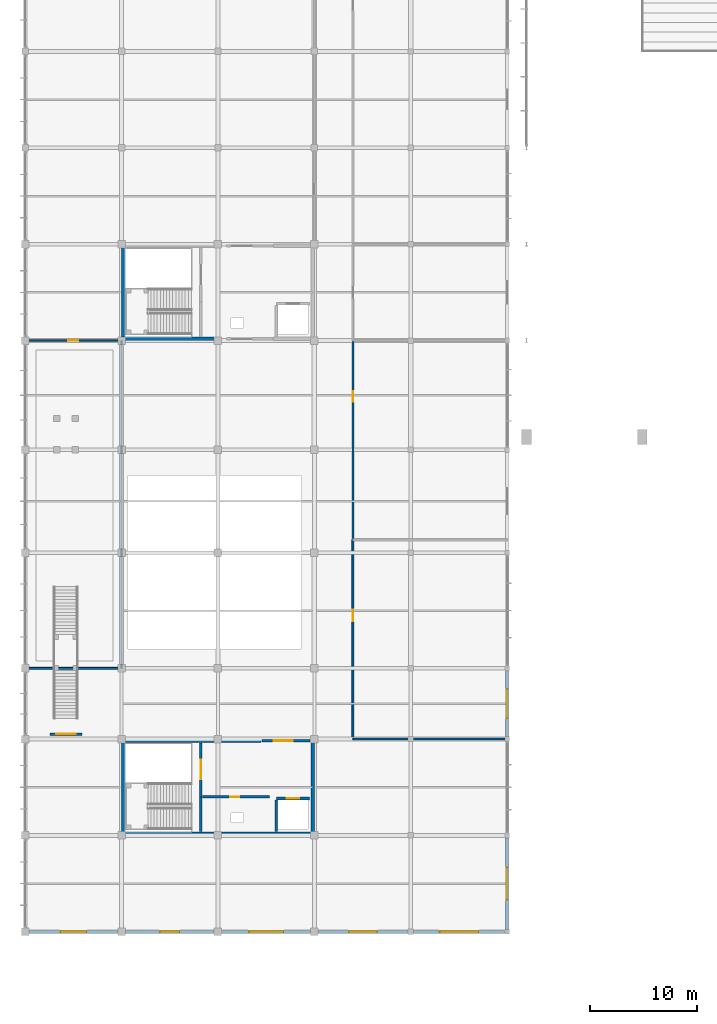
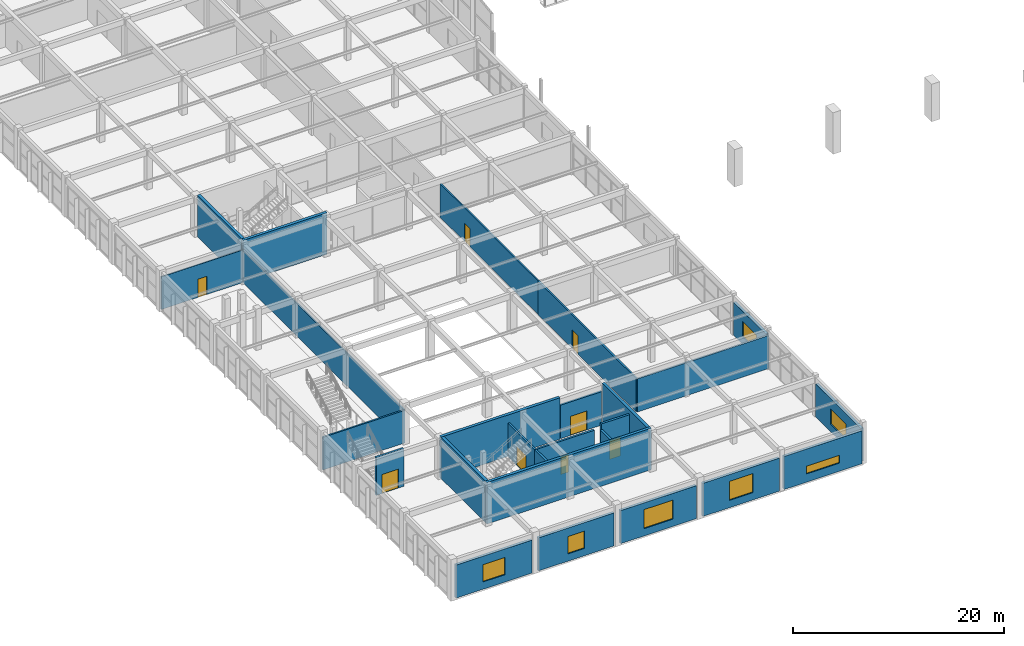
# One storey, part 48 of 74: 26 walls, 8 doors, 7 windows, 15 openings.
"""IFC4 building model written with IfcOpenShell, lengths in metres."""

from ifc_helpers import new_model, si_unit, direction, frame, frame_2d, origin, place, context, subcontext, project, spatial, rectangle, extrude, material, layer, layer_set, type_object, element, fill, save


model = new_model("IFC4")

# Units and contexts
model_context = context("Model", 3, precision=1e-05, world=origin(), true_north=direction((0.0, 1.0)))
body_context = subcontext(model_context, "Body", "Model", "MODEL_VIEW")
ifc_project = project(units=[si_unit("LENGTHUNIT", "METRE"), si_unit("AREAUNIT", "SQUARE_METRE"), si_unit("VOLUMEUNIT", "CUBIC_METRE"), si_unit("PLANEANGLEUNIT", "RADIAN"), si_unit("MASSUNIT", "GRAM", prefix="KILO")], contexts=[model_context])

# Site, building, storey
site_placement = place(None, origin())
site = spatial("IfcSite", under=ifc_project, at=site_placement, CompositionType="ELEMENT")
building_placement = place(site_placement, origin())
building = spatial("IfcBuilding", under=site, at=building_placement, Name="Suirenkawa Promenade Aquatics Centre", CompositionType="ELEMENT")
storey_placement = place(building_placement, frame((0.0, 0.0, 4.800048828125)))
storey = spatial("IfcBuildingStorey", under=building, at=storey_placement, Name="L01", CompositionType="ELEMENT", Elevation=4.800048828125)

# Walls
ifc_material_1 = material(Name="Concrete M40", Category="concrete")
ifc_layer_1 = layer(ifc_material_1, 0.320068359375, Name="Concrete M40", Category="concrete")
ifc_layer_set_1 = layer_set([ifc_layer_1], Name="Concrete M40")
wall_type_1 = type_object("IfcWallType", Name="WT-CORE-320", PredefinedType="SHEAR", material=ifc_layer_set_1)
wall_1_placement = place(storey_placement, frame((9.0, 13.360107421875, 0.0), z_axis=(0.0, 0.0, 1.0), x_axis=(1.0, 0.0, 0.0)))
element("IfcWall", 1, at=wall_1_placement, inside=storey, type_object=wall_type_1, Name="C1 south core wall WL-CORE-01 W-0058", PredefinedType="SHEAR", context=body_context, shape_type="SweptSolid", body=[
    extrude(rectangle(XDim=18.0, YDim=0.320068359375, at=frame_2d((9.0, 0.0))), origin(), (0.0, 0.0, 1.0), 4.800048828125),
])
wall_2_placement = place(storey_placement, frame((9.0, 22.0400390625, 0.0), z_axis=(0.0, 0.0, 1.0), x_axis=(1.0, 0.0, 0.0)))
element("IfcWall", 2, at=wall_2_placement, inside=storey, type_object=wall_type_1, Name="C1 north core wall WL-CORE-01 W-0059", PredefinedType="SHEAR", context=body_context, shape_type="SweptSolid", body=[
    extrude(rectangle(XDim=13.0, YDim=0.320068359375, at=frame_2d((6.5, 0.0))), origin(), (0.0, 0.0, 1.0), 4.800048828125),
])
wall_3_placement = place(storey_placement, frame((9.159912109375, 13.52001953125, 0.0), z_axis=(0.0, 0.0, 1.0), x_axis=(0.0, 1.0, 0.0)))
element("IfcWall", 3, at=wall_3_placement, inside=storey, type_object=wall_type_1, Name="C1 west core wall WL-CORE-01 W-0060", PredefinedType="SHEAR", context=body_context, shape_type="SweptSolid", body=[
    extrude(rectangle(XDim=8.35986328125, YDim=0.320068359375, at=frame_2d((4.179931640625, 0.0))), origin(), (0.0, 0.0, 1.0), 4.800048828125),
])
wall_4_placement = place(storey_placement, frame((26.840087890625, 13.52001953125, 0.0), z_axis=(0.0, 0.0, 1.0), x_axis=(0.0, 1.0, 0.0)))
element("IfcWall", 4, at=wall_4_placement, inside=storey, type_object=wall_type_1, Name="C1 east core wall WL-CORE-01 W-0061", PredefinedType="SHEAR", context=body_context, shape_type="SweptSolid", body=[
    extrude(rectangle(XDim=8.47998046875, YDim=0.320068359375, at=frame_2d((4.239990234375, 0.0))), origin(), (0.0, 0.0, 1.0), 4.800048828125),
])
wall_5_placement = place(storey_placement, frame((9.0, 59.56005859375, 0.0), z_axis=(0.0, 0.0, 1.0), x_axis=(1.0, 0.0, 0.0)))
element("IfcWall", 5, at=wall_5_placement, inside=storey, type_object=wall_type_1, Name="C2 south core wall WL-CORE-01 W-0086", PredefinedType="SHEAR", context=body_context, shape_type="SweptSolid", body=[
    extrude(rectangle(XDim=9.199951171875, YDim=0.320068359375, at=frame_2d((4.60009765625, 0.0))), origin(), (0.0, 0.0, 1.0), 4.800048828125),
])
wall_6_placement = place(storey_placement, frame((9.159912109375, 59.719970703125, 0.0), z_axis=(0.0, 0.0, 1.0), x_axis=(0.0, 1.0, 0.0)))
element("IfcWall", 6, at=wall_6_placement, inside=storey, type_object=wall_type_1, Name="C2 west core wall WL-CORE-01 W-0090", PredefinedType="SHEAR", context=body_context, shape_type="SweptSolid", body=[
    extrude(rectangle(XDim=8.360107421875, YDim=0.320068359375, at=frame_2d((4.18017578125, 0.0))), origin(), (0.0, 0.0, 1.0), 4.800048828125),
])

# Wall, opening, window
ifc_layer_2 = layer(ifc_material_1, 0.2900390625, Name="Concrete M40", Category="concrete")
ifc_layer_set_2 = layer_set([ifc_layer_2], Name="Concrete M40")
wall_type_2 = type_object("IfcWallType", Name="WT-EXT-290", PredefinedType="SOLIDWALL", material=ifc_layer_set_2)
wall_7_placement = place(storey_placement, frame((8.64501953125, 4.199951171875, 0.0), z_axis=(0.0, 0.0, 1.0), x_axis=(-1.0, 0.0, 0.0)))
wall_7 = element("IfcWall", 7, at=wall_7_placement, inside=storey, type_object=wall_type_2, Name="Exterior wall WL-EXT-03 W-5079", PredefinedType="SOLIDWALL", context=body_context, shape_type="SweptSolid", body=[
    extrude(rectangle(XDim=8.2900390625, YDim=0.2900390625, at=frame_2d((4.14501953125, 0.0))), origin(), (0.0, 0.0, 1.0), 3.824951171875),
])
opening_1_placement = place(wall_7_placement, frame((2.945068359375, 0.0, 0.85009765625)))
opening_1 = element("IfcOpeningElement", 8, at=opening_1_placement, cuts=wall_7, Name="Opening WN-24", PredefinedType="OPENING", context=body_context, shape_type="SweptSolid", body=[
    extrude(rectangle(XDim=2.39990234375, YDim=2.0, at=frame_2d((1.199951171875, 1.0))), frame((0.0, 0.155029296875, 0.0), z_axis=(0.0, -1.0, 0.0), x_axis=(1.0, 0.0, 0.0)), (0.0, 0.0, 1.0), 0.31005859375),
])
ifc_material_2 = material(Name="Low-E thermally broken double glazing", Category="glass")
window_type_1 = type_object("IfcWindowType", Name="WNT-VIEW-2400x2000", PartitioningType="SINGLE_PANEL", PredefinedType="WINDOW", material=ifc_material_2)
window_1_placement = place(opening_1_placement, origin())
window_1 = element("IfcWindow", 9, at=window_1_placement, inside=storey, type_object=window_type_1, Name="Window WN-24 WN-0026", OverallHeight=2.0, OverallWidth=2.39990234375, PartitioningType="SINGLE_PANEL", PredefinedType="WINDOW", context=body_context, shape_type="SweptSolid", body=[
    extrude(rectangle(XDim=2.39990234375, YDim=2.0, at=frame_2d((1.199951171875, 1.0))), frame((0.0, 0.030029296875, 0.0), z_axis=(0.0, -1.0, 0.0), x_axis=(1.0, 0.0, 0.0)), (0.0, 0.0, 1.0), 0.06005859375),
])
fill(opening_1, window_1)

wall_8_placement = place(storey_placement, frame((17.64501953125, 4.199951171875, 0.0), z_axis=(0.0, 0.0, 1.0), x_axis=(-1.0, 0.0, 0.0)))
wall_8 = element("IfcWall", 10, at=wall_8_placement, inside=storey, type_object=wall_type_2, Name="Exterior wall WL-EXT-03 W-5080", PredefinedType="SOLIDWALL", context=body_context, shape_type="SweptSolid", body=[
    extrude(rectangle(XDim=8.2900390625, YDim=0.2900390625, at=frame_2d((4.14501953125, 0.0))), origin(), (0.0, 0.0, 1.0), 3.824951171875),
])
opening_2_placement = place(wall_8_placement, frame((3.2451171875, 0.0, 0.85009765625)))
opening_2 = element("IfcOpeningElement", 11, at=opening_2_placement, cuts=wall_8, Name="Opening WN-25", PredefinedType="OPENING", context=body_context, shape_type="SweptSolid", body=[
    extrude(rectangle(XDim=1.800048828125, YDim=2.0, at=frame_2d((0.89990234375, 1.0))), frame((0.0, 0.155029296875, 0.0), z_axis=(0.0, -1.0, 0.0), x_axis=(1.0, 0.0, 0.0)), (0.0, 0.0, 1.0), 0.31005859375),
])
window_type_2 = type_object("IfcWindowType", Name="WNT-VIEW-1800x2000", PartitioningType="SINGLE_PANEL", PredefinedType="WINDOW", material=ifc_material_2)
window_2_placement = place(opening_2_placement, origin())
window_2 = element("IfcWindow", 12, at=window_2_placement, inside=storey, type_object=window_type_2, Name="Window WN-25 WN-0027", OverallHeight=2.0, OverallWidth=1.800048828125, PartitioningType="SINGLE_PANEL", PredefinedType="WINDOW", context=body_context, shape_type="SweptSolid", body=[
    extrude(rectangle(XDim=1.800048828125, YDim=2.0, at=frame_2d((0.89990234375, 1.0))), frame((0.0, 0.030029296875, 0.0), z_axis=(0.0, -1.0, 0.0), x_axis=(1.0, 0.0, 0.0)), (0.0, 0.0, 1.0), 0.06005859375),
])
fill(opening_2, window_2)

wall_9_placement = place(storey_placement, frame((26.64501953125, 4.199951171875, 0.0), z_axis=(0.0, 0.0, 1.0), x_axis=(-1.0, 0.0, 0.0)))
wall_9 = element("IfcWall", 13, at=wall_9_placement, inside=storey, type_object=wall_type_2, Name="Exterior wall WL-EXT-03 W-5081", PredefinedType="SOLIDWALL", context=body_context, shape_type="SweptSolid", body=[
    extrude(rectangle(XDim=8.2900390625, YDim=0.2900390625, at=frame_2d((4.14501953125, 0.0))), origin(), (0.0, 0.0, 1.0), 3.824951171875),
])
opening_3_placement = place(wall_9_placement, frame((2.544921875, 0.0, 0.85009765625)))
opening_3 = element("IfcOpeningElement", 14, at=opening_3_placement, cuts=wall_9, Name="Opening WN-26", PredefinedType="OPENING", context=body_context, shape_type="SweptSolid", body=[
    extrude(rectangle(XDim=3.199951171875, YDim=2.199951171875, at=frame_2d((1.60009765625, 1.10009765625))), frame((0.0, 0.155029296875, 0.0), z_axis=(0.0, -1.0, 0.0), x_axis=(1.0, 0.0, 0.0)), (0.0, 0.0, 1.0), 0.31005859375),
])
window_type_3 = type_object("IfcWindowType", Name="WNT-GALL-3200x2200", PartitioningType="SINGLE_PANEL", PredefinedType="WINDOW", material=ifc_material_2)
window_3_placement = place(opening_3_placement, origin())
window_3 = element("IfcWindow", 15, at=window_3_placement, inside=storey, type_object=window_type_3, Name="Window WN-26 WN-0028", OverallHeight=2.199951171875, OverallWidth=3.199951171875, PartitioningType="SINGLE_PANEL", PredefinedType="WINDOW", context=body_context, shape_type="SweptSolid", body=[
    extrude(rectangle(XDim=3.199951171875, YDim=2.199951171875, at=frame_2d((1.60009765625, 1.10009765625))), frame((0.0, 0.030029296875, 0.0), z_axis=(0.0, -1.0, 0.0), x_axis=(1.0, 0.0, 0.0)), (0.0, 0.0, 1.0), 0.06005859375),
])
fill(opening_3, window_3)

wall_10_placement = place(storey_placement, frame((35.7451171875, 4.199951171875, 0.0), z_axis=(0.0, 0.0, 1.0), x_axis=(-1.0, 0.0, 0.0)))
wall_10 = element("IfcWall", 16, at=wall_10_placement, inside=storey, type_object=wall_type_2, Name="Exterior wall WL-EXT-03 W-5082", PredefinedType="SOLIDWALL", context=body_context, shape_type="SweptSolid", body=[
    extrude(rectangle(XDim=8.39013671875, YDim=0.2900390625, at=frame_2d((4.195068359375, 0.0))), origin(), (0.0, 0.0, 1.0), 3.824951171875),
])
opening_4_placement = place(wall_10_placement, frame((2.89501953125, 0.0, 0.85009765625)))
opening_4 = element("IfcOpeningElement", 17, at=opening_4_placement, cuts=wall_10, Name="Opening WN-27", PredefinedType="OPENING", context=body_context, shape_type="SweptSolid", body=[
    extrude(rectangle(XDim=2.60009765625, YDim=2.199951171875, at=frame_2d((1.300048828125, 1.10009765625))), frame((0.0, 0.155029296875, 0.0), z_axis=(0.0, -1.0, 0.0), x_axis=(1.0, 0.0, 0.0)), (0.0, 0.0, 1.0), 0.31005859375),
])
window_type_4 = type_object("IfcWindowType", Name="WNT-GALL-2600x2200", PartitioningType="SINGLE_PANEL", PredefinedType="WINDOW", material=ifc_material_2)
window_4_placement = place(opening_4_placement, origin())
window_4 = element("IfcWindow", 18, at=window_4_placement, inside=storey, type_object=window_type_4, Name="Window WN-27 WN-0029", OverallHeight=2.199951171875, OverallWidth=2.60009765625, PartitioningType="SINGLE_PANEL", PredefinedType="WINDOW", context=body_context, shape_type="SweptSolid", body=[
    extrude(rectangle(XDim=2.60009765625, YDim=2.199951171875, at=frame_2d((1.300048828125, 1.10009765625))), frame((0.0, 0.030029296875, 0.0), z_axis=(0.0, -1.0, 0.0), x_axis=(1.0, 0.0, 0.0)), (0.0, 0.0, 1.0), 0.06005859375),
])
fill(opening_4, window_4)

wall_11_placement = place(storey_placement, frame((44.77001953125, 4.199951171875, 0.0), z_axis=(0.0, 0.0, 1.0), x_axis=(-1.0, 0.0, 0.0)))
wall_11 = element("IfcWall", 19, at=wall_11_placement, inside=storey, type_object=wall_type_2, Name="Exterior wall WL-EXT-03 W-5083", PredefinedType="SOLIDWALL", context=body_context, shape_type="SweptSolid", body=[
    extrude(rectangle(XDim=8.51513671875, YDim=0.2900390625, at=frame_2d((4.257568359375, 0.0))), origin(), (0.0, 0.0, 1.0), 3.824951171875),
])
opening_5_placement = place(wall_11_placement, frame((2.4580078125, 0.0, 0.949951171875)))
opening_5 = element("IfcOpeningElement", 20, at=opening_5_placement, cuts=wall_11, Name="Opening WN-01", PredefinedType="OPENING", context=body_context, shape_type="SweptSolid", body=[
    extrude(rectangle(XDim=3.60009765625, YDim=0.89990234375, at=frame_2d((1.800048828125, 0.449951171875))), frame((0.0, 0.155029296875, 0.0), z_axis=(0.0, -1.0, 0.0), x_axis=(1.0, 0.0, 0.0)), (0.0, 0.0, 1.0), 0.31005859375),
])
window_type_5 = type_object("IfcWindowType", Name="WNT-RIB-3600x900", PartitioningType="SINGLE_PANEL", PredefinedType="WINDOW", material=ifc_material_2)
window_5_placement = place(opening_5_placement, origin())
window_5 = element("IfcWindow", 21, at=window_5_placement, inside=storey, type_object=window_type_5, Name="Window WN-01 WN-0030", OverallHeight=0.89990234375, OverallWidth=3.60009765625, PartitioningType="SINGLE_PANEL", PredefinedType="WINDOW", context=body_context, shape_type="SweptSolid", body=[
    extrude(rectangle(XDim=3.60009765625, YDim=0.89990234375, at=frame_2d((1.800048828125, 0.449951171875))), frame((0.0, 0.030029296875, 0.0), z_axis=(0.0, -1.0, 0.0), x_axis=(1.0, 0.0, 0.0)), (0.0, 0.0, 1.0), 0.06005859375),
])
fill(opening_5, window_5)

wall_12_placement = place(storey_placement, frame((45.0, 12.969970703125, 0.0), z_axis=(0.0, 0.0, 1.0), x_axis=(0.0, -1.0, 0.0)))
wall_12 = element("IfcWall", 22, at=wall_12_placement, inside=storey, type_object=wall_type_2, Name="Exterior wall WL-EXT-03 W-5103", PredefinedType="SOLIDWALL", context=body_context, shape_type="SweptSolid", body=[
    extrude(rectangle(XDim=8.5400390625, YDim=0.2900390625, at=frame_2d((4.27001953125, 0.0))), origin(), (0.0, 0.0, 1.0), 3.824951171875),
])
opening_6_placement = place(wall_12_placement, frame((2.77001953125, 0.0, 0.85009765625)))
opening_6 = element("IfcOpeningElement", 23, at=opening_6_placement, cuts=wall_12, Name="Opening WN-16", PredefinedType="OPENING", context=body_context, shape_type="SweptSolid", body=[
    extrude(rectangle(XDim=3.0, YDim=1.800048828125, at=frame_2d((1.5, 0.89990234375))), frame((0.0, 0.155029296875, 0.0), z_axis=(0.0, -1.0, 0.0), x_axis=(1.0, 0.0, 0.0)), (0.0, 0.0, 1.0), 0.31005859375),
])
window_type_6 = type_object("IfcWindowType", Name="WNT-TALL-3000x1800", PartitioningType="SINGLE_PANEL", PredefinedType="WINDOW", material=ifc_material_2)
window_6_placement = place(opening_6_placement, origin())
window_6 = element("IfcWindow", 24, at=window_6_placement, inside=storey, type_object=window_type_6, Name="Window WN-16 WN-0045", OverallHeight=1.800048828125, OverallWidth=3.0, PartitioningType="SINGLE_PANEL", PredefinedType="WINDOW", context=body_context, shape_type="SweptSolid", body=[
    extrude(rectangle(XDim=3.0, YDim=1.800048828125, at=frame_2d((1.5, 0.89990234375))), frame((0.0, 0.030029296875, 0.0), z_axis=(0.0, -1.0, 0.0), x_axis=(1.0, 0.0, 0.0)), (0.0, 0.0, 1.0), 0.06005859375),
])
fill(opening_6, window_6)

wall_13_placement = place(storey_placement, frame((45.0, 28.570068359375, 0.0), z_axis=(0.0, 0.0, 1.0), x_axis=(0.0, -1.0, 0.0)))
wall_13 = element("IfcWall", 25, at=wall_13_placement, inside=storey, type_object=wall_type_2, Name="Exterior wall WL-EXT-03 W-5104", PredefinedType="SOLIDWALL", context=body_context, shape_type="SweptSolid", body=[
    extrude(rectangle(XDim=6.14013671875, YDim=0.2900390625, at=frame_2d((3.070068359375, 0.0))), origin(), (0.0, 0.0, 1.0), 3.824951171875),
])
opening_7_placement = place(wall_13_placement, frame((1.719970703125, 0.0, 0.85009765625)))
opening_7 = element("IfcOpeningElement", 26, at=opening_7_placement, cuts=wall_13, Name="Opening WN-17", PredefinedType="OPENING", context=body_context, shape_type="SweptSolid", body=[
    extrude(rectangle(XDim=2.699951171875, YDim=1.800048828125, at=frame_2d((1.35009765625, 0.89990234375))), frame((0.0, 0.155029296875, 0.0), z_axis=(0.0, -1.0, 0.0), x_axis=(1.0, 0.0, 0.0)), (0.0, 0.0, 1.0), 0.31005859375),
])
window_type_7 = type_object("IfcWindowType", Name="WNT-TALL-2700x1800", PartitioningType="SINGLE_PANEL", PredefinedType="WINDOW", material=ifc_material_2)
window_7_placement = place(opening_7_placement, origin())
window_7 = element("IfcWindow", 27, at=window_7_placement, inside=storey, type_object=window_type_7, Name="Window WN-17 WN-0046", OverallHeight=1.800048828125, OverallWidth=2.699951171875, PartitioningType="SINGLE_PANEL", PredefinedType="WINDOW", context=body_context, shape_type="SweptSolid", body=[
    extrude(rectangle(XDim=2.699951171875, YDim=1.800048828125, at=frame_2d((1.35009765625, 0.89990234375))), frame((0.0, 0.030029296875, 0.0), z_axis=(0.0, -1.0, 0.0), x_axis=(1.0, 0.0, 0.0)), (0.0, 0.0, 1.0), 0.06005859375),
])
fill(opening_7, window_7)

# Wall
ifc_material_3 = material(Name="Autoclaved aerated concrete blockwork Grade 1", Category="masonry")
ifc_layer_3 = layer(ifc_material_3, 0.179931640625, Name="Autoclaved aerated concrete blockwork Grade 1", Category="masonry")
ifc_layer_set_3 = layer_set([ifc_layer_3], Name="Autoclaved aerated concrete blockwork Grade 1")
wall_type_3 = type_object("IfcWallType", Name="WT-FIRE-180", PredefinedType="PARTITIONING", material=ifc_layer_set_3)
wall_14_placement = place(storey_placement, frame((0.0, 28.800048828125, 0.0), z_axis=(0.0, 0.0, 1.0), x_axis=(1.0, 0.0, 0.0)))
element("IfcWall", 28, at=wall_14_placement, inside=storey, type_object=wall_type_3, Name="Interior wall WL-PRT-02 W-7238", PredefinedType="PARTITIONING", context=body_context, shape_type="SweptSolid", body=[
    extrude(rectangle(XDim=9.0, YDim=0.179931640625, at=frame_2d((4.5, 0.0))), origin(), (0.0, 0.0, 1.0), 3.77490234375),
])

# Wall, opening, door
wall_15_placement = place(storey_placement, frame((30.60009765625, 22.199951171875, 0.0), z_axis=(0.0, 0.0, 1.0), x_axis=(0.0, 1.0, 0.0)))
wall_15 = element("IfcWall", 29, at=wall_15_placement, inside=storey, type_object=wall_type_3, Name="Interior wall WL-PRT-02 W-7241", PredefinedType="PARTITIONING", context=body_context, shape_type="SweptSolid", body=[
    extrude(rectangle(XDim=18.60009765625, YDim=0.179931640625, at=frame_2d((9.300048828125, 0.0))), origin(), (0.0, 0.0, 1.0), 3.875),
])
opening_8_placement = place(wall_15_placement, frame((10.98193359375, 0.0, 0.0)))
opening_8 = element("IfcOpeningElement", 30, at=opening_8_placement, cuts=wall_15, Name="Opening ID-06", PredefinedType="OPENING", context=body_context, shape_type="SweptSolid", body=[
    extrude(rectangle(XDim=1.10009765625, YDim=2.14990234375, at=frame_2d((0.550048828125, 1.074951171875))), frame((0.0, 0.099853515625, 0.0), z_axis=(0.0, -1.0, 0.0), x_axis=(1.0, 0.0, 0.0)), (0.0, 0.0, 1.0), 0.199951171875),
])
ifc_material_4 = material(Name="Engineered maple acoustic sports timber", Category="wood")
door_type_1 = type_object("IfcDoorType", Name="DT-FD60-1100x2150", OperationType="NOTDEFINED", PredefinedType="DOOR", material=ifc_material_4)
door_1_placement = place(opening_8_placement, origin())
door_1 = element("IfcDoor", 31, at=door_1_placement, inside=storey, type_object=door_type_1, Name="Interior door ID-06 DR-INT-0147", OperationType="SINGLE_SWING_LEFT", OverallHeight=2.14990234375, OverallWidth=1.10009765625, PredefinedType="DOOR", context=body_context, shape_type="SweptSolid", body=[
    extrude(rectangle(XDim=1.10009765625, YDim=2.14990234375, at=frame_2d((0.550048828125, 1.074951171875))), frame((0.0, 0.02490234375, 0.0), z_axis=(0.0, -1.0, 0.0), x_axis=(1.0, 0.0, 0.0)), (0.0, 0.0, 1.0), 0.050048828125),
])
fill(opening_8, door_1)

# Wall
wall_16_placement = place(storey_placement, frame((30.60009765625, 22.199951171875, 0.0), z_axis=(0.0, 0.0, 1.0), x_axis=(1.0, 0.0, 0.0)))
element("IfcWall", 32, at=wall_16_placement, inside=storey, type_object=wall_type_3, Name="Interior wall WL-PRT-02 W-7242", PredefinedType="PARTITIONING", context=body_context, shape_type="SweptSolid", body=[
    extrude(rectangle(XDim=14.39990234375, YDim=0.179931640625, at=frame_2d((7.199951171875, 0.0))), origin(), (0.0, 0.0, 1.0), 3.824951171875),
])

# Wall, opening, door
ifc_material_5 = material(Name="Concrete M35", Category="concrete")
ifc_layer_4 = layer(ifc_material_5, 0.219970703125, Name="Concrete M35", Category="concrete")
ifc_layer_set_4 = layer_set([ifc_layer_4], Name="Concrete M35")
wall_type_4 = type_object("IfcWallType", Name="WT-LOBBY-220", PredefinedType="PARTITIONING", material=ifc_layer_set_4)
wall_17_placement = place(storey_placement, frame((16.39990234375, 21.85009765625, 0.0), z_axis=(0.0, 0.0, 1.0), x_axis=(0.0, -1.0, 0.0)))
wall_17 = element("IfcWall", 33, at=wall_17_placement, inside=storey, type_object=wall_type_4, Name="Interior wall WL-LOB-01 W-7012", PredefinedType="PARTITIONING", context=body_context, shape_type="SweptSolid", body=[
    extrude(rectangle(XDim=5.050048828125, YDim=0.219970703125, at=frame_2d((2.52490234375, 0.0))), origin(), (0.0, 0.0, 1.0), 3.875),
])
opening_9_placement = place(wall_17_placement, frame((1.60009765625, 0.0, 0.0)))
opening_9 = element("IfcOpeningElement", 34, at=opening_9_placement, cuts=wall_17, Name="Opening ID-02", PredefinedType="OPENING", context=body_context, shape_type="SweptSolid", body=[
    extrude(rectangle(XDim=1.800048828125, YDim=2.199951171875, at=frame_2d((0.89990234375, 1.10009765625))), frame((0.0, 0.119873046875, 0.0), z_axis=(0.0, -1.0, 0.0), x_axis=(1.0, 0.0, 0.0)), (0.0, 0.0, 1.0), 0.239990234375),
])
ifc_material_6 = material(Name="Steel IS 2062 E350 (Grade 350)", Category="steel")
door_type_2 = type_object("IfcDoorType", Name="DT-FD120-1800x2200", OperationType="DOUBLE_DOOR_SINGLE_SWING", PredefinedType="DOOR", material=ifc_material_6)
door_2_placement = place(opening_9_placement, origin())
door_2 = element("IfcDoor", 35, at=door_2_placement, inside=storey, type_object=door_type_2, Name="Interior door ID-02 DR-INT-0008", OperationType="DOUBLE_DOOR_SINGLE_SWING", OverallHeight=2.199951171875, OverallWidth=1.800048828125, PredefinedType="DOOR", context=body_context, shape_type="SweptSolid", body=[
    extrude(rectangle(XDim=1.800048828125, YDim=2.199951171875, at=frame_2d((0.89990234375, 1.10009765625))), frame((0.0, 0.02490234375, 0.0), z_axis=(0.0, -1.0, 0.0), x_axis=(1.0, 0.0, 0.0)), (0.0, 0.0, 1.0), 0.050048828125),
])
fill(opening_9, door_2)

# Wall
wall_18_placement = place(storey_placement, frame((16.39990234375, 13.550048828125, 0.0), z_axis=(0.0, 0.0, 1.0), x_axis=(0.0, 1.0, 0.0)))
element("IfcWall", 36, at=wall_18_placement, inside=storey, type_object=wall_type_4, Name="Interior wall WL-LOB-01 W-7013", PredefinedType="PARTITIONING", context=body_context, shape_type="SweptSolid", body=[
    extrude(rectangle(XDim=3.25, YDim=0.219970703125, at=frame_2d((1.625, 0.0))), origin(), (0.0, 0.0, 1.0), 3.875),
])

# Wall, opening, door
wall_19_placement = place(storey_placement, frame((16.550048828125, 16.800048828125, 0.0), z_axis=(0.0, 0.0, 1.0), x_axis=(1.0, 0.0, 0.0)))
wall_19 = element("IfcWall", 37, at=wall_19_placement, inside=storey, type_object=wall_type_4, Name="Interior wall WL-LOB-01 W-7014", PredefinedType="PARTITIONING", context=body_context, shape_type="SweptSolid", body=[
    extrude(rectangle(XDim=6.25, YDim=0.219970703125, at=frame_2d((3.125, 0.0))), origin(), (0.0, 0.0, 1.0), 3.925048828125),
])
opening_10_placement = place(wall_19_placement, frame((2.60009765625, 0.0, 0.0)))
opening_10 = element("IfcOpeningElement", 38, at=opening_10_placement, cuts=wall_19, Name="Opening ID-13", PredefinedType="OPENING", context=body_context, shape_type="SweptSolid", body=[
    extrude(rectangle(XDim=0.85009765625, YDim=2.050048828125, at=frame_2d((0.425048828125, 1.02490234375))), frame((0.0, 0.119873046875, 0.0), z_axis=(0.0, -1.0, 0.0), x_axis=(1.0, 0.0, 0.0)), (0.0, 0.0, 1.0), 0.239990234375),
])
door_type_3 = type_object("IfcDoorType", Name="DT-RISER-850x2050", OperationType="NOTDEFINED", PredefinedType="DOOR", material=ifc_material_6)
door_3_placement = place(opening_10_placement, origin())
door_3 = element("IfcDoor", 39, at=door_3_placement, inside=storey, type_object=door_type_3, Name="Interior door ID-13 DR-INT-0009", OperationType="SINGLE_SWING_RIGHT", OverallHeight=2.050048828125, OverallWidth=0.85009765625, PredefinedType="DOOR", context=body_context, shape_type="SweptSolid", body=[
    extrude(rectangle(XDim=0.85009765625, YDim=2.050048828125, at=frame_2d((0.425048828125, 1.02490234375))), frame((0.0, 0.02490234375, 0.0), z_axis=(0.0, -1.0, 0.0), x_axis=(1.0, 0.0, 0.0)), (0.0, 0.0, 1.0), 0.050048828125),
])
fill(opening_10, door_3)

wall_20_placement = place(storey_placement, frame((22.10009765625, 22.0400390625, 0.0), z_axis=(0.0, 0.0, 1.0), x_axis=(1.0, 0.0, 0.0)))
wall_20 = element("IfcWall", 40, at=wall_20_placement, inside=storey, type_object=wall_type_4, Name="Interior wall WL-LOB-01 W-7017", PredefinedType="PARTITIONING", context=body_context, shape_type="SweptSolid", body=[
    extrude(rectangle(XDim=4.5, YDim=0.219970703125, at=frame_2d((2.25, 0.0))), origin(), (0.0, 0.0, 1.0), 3.875),
])
opening_11_placement = place(wall_20_placement, frame((1.10009765625, 0.0, 0.0)))
opening_11 = element("IfcOpeningElement", 41, at=opening_11_placement, cuts=wall_20, Name="Opening ID-02", PredefinedType="OPENING", context=body_context, shape_type="SweptSolid", body=[
    extrude(rectangle(XDim=1.800048828125, YDim=2.199951171875, at=frame_2d((0.89990234375, 1.10009765625))), frame((0.0, 0.119873046875, 0.0), z_axis=(0.0, -1.0, 0.0), x_axis=(1.0, 0.0, 0.0)), (0.0, 0.0, 1.0), 0.239990234375),
])
door_4_placement = place(opening_11_placement, origin())
door_4 = element("IfcDoor", 42, at=door_4_placement, inside=storey, type_object=door_type_2, Name="Interior door ID-02 DR-INT-0011", OperationType="DOUBLE_DOOR_SINGLE_SWING", OverallHeight=2.199951171875, OverallWidth=1.800048828125, PredefinedType="DOOR", context=body_context, shape_type="SweptSolid", body=[
    extrude(rectangle(XDim=1.800048828125, YDim=2.199951171875, at=frame_2d((0.89990234375, 1.10009765625))), frame((0.0, 0.02490234375, 0.0), z_axis=(0.0, -1.0, 0.0), x_axis=(1.0, 0.0, 0.0)), (0.0, 0.0, 1.0), 0.050048828125),
])
fill(opening_11, door_4)

wall_21_placement = place(storey_placement, frame((2.300048828125, 22.64990234375, 0.0), z_axis=(0.0, 0.0, 1.0), x_axis=(1.0, 0.0, 0.0)))
wall_21 = element("IfcWall", 43, at=wall_21_placement, inside=storey, type_object=wall_type_4, Name="Interior wall WL-LOB-01 W-7406", PredefinedType="PARTITIONING", context=body_context, shape_type="SweptSolid", body=[
    extrude(rectangle(XDim=3.0, YDim=0.219970703125, at=frame_2d((1.5, 0.0))), origin(), (0.0, 0.0, 1.0), 4.385009765625),
])
opening_12_placement = place(wall_21_placement, frame((0.60009765625, 0.0, 0.0)))
opening_12 = element("IfcOpeningElement", 44, at=opening_12_placement, cuts=wall_21, Name="Opening ID-02", PredefinedType="OPENING", context=body_context, shape_type="SweptSolid", body=[
    extrude(rectangle(XDim=1.800048828125, YDim=2.199951171875, at=frame_2d((0.89990234375, 1.10009765625))), frame((0.0, 0.119873046875, 0.0), z_axis=(0.0, -1.0, 0.0), x_axis=(1.0, 0.0, 0.0)), (0.0, 0.0, 1.0), 0.239990234375),
])
door_5_placement = place(opening_12_placement, origin())
door_5 = element("IfcDoor", 45, at=door_5_placement, inside=storey, type_object=door_type_2, Name="Interior door ID-02 DR-INT-0242", OperationType="DOUBLE_DOOR_SINGLE_SWING", OverallHeight=2.199951171875, OverallWidth=1.800048828125, PredefinedType="DOOR", context=body_context, shape_type="SweptSolid", body=[
    extrude(rectangle(XDim=1.800048828125, YDim=2.199951171875, at=frame_2d((0.89990234375, 1.10009765625))), frame((0.0, 0.02490234375, 0.0), z_axis=(0.0, -1.0, 0.0), x_axis=(1.0, 0.0, 0.0)), (0.0, 0.0, 1.0), 0.050048828125),
])
fill(opening_12, door_5)

ifc_layer_5 = layer(ifc_material_1, 0.239990234375, Name="Concrete M40", Category="concrete")
ifc_layer_set_5 = layer_set([ifc_layer_5], Name="Concrete M40")
wall_type_5 = type_object("IfcWallType", Name="WT-SHAFT-240", PredefinedType="SOLIDWALL", material=ifc_layer_set_5)
wall_22_placement = place(storey_placement, frame((23.449951171875, 16.64990234375, 0.0), z_axis=(0.0, 0.0, 1.0), x_axis=(1.0, 0.0, 0.0)))
wall_22 = element("IfcWall", 46, at=wall_22_placement, inside=storey, type_object=wall_type_5, Name="Interior wall WL-SHF-01 W-7015", PredefinedType="SOLIDWALL", context=body_context, shape_type="SweptSolid", body=[
    extrude(rectangle(XDim=3.10009765625, YDim=0.239990234375, at=frame_2d((1.550048828125, 0.0))), origin(), (0.0, 0.0, 1.0), 4.5048828125),
])
opening_13_placement = place(wall_22_placement, frame((0.949951171875, 0.0, 0.0)))
opening_13 = element("IfcOpeningElement", 47, at=opening_13_placement, cuts=wall_22, Name="Opening LD-02", PredefinedType="OPENING", context=body_context, shape_type="SweptSolid", body=[
    extrude(rectangle(XDim=1.199951171875, YDim=2.199951171875, at=frame_2d((0.60009765625, 1.10009765625))), frame((0.0, 0.1298828125, 0.0), z_axis=(0.0, -1.0, 0.0), x_axis=(1.0, 0.0, 0.0)), (0.0, 0.0, 1.0), 0.260009765625),
])
ifc_material_7 = material(Name="Marine-grade stainless steel Grade 316L", Category="steel")
door_type_4 = type_object("IfcDoorType", Name="DT-LIFT-1200x2200", OperationType="DOUBLE_DOOR_SLIDING", PredefinedType="DOOR", material=ifc_material_7)
door_6_placement = place(opening_13_placement, origin())
door_6 = element("IfcDoor", 48, at=door_6_placement, inside=storey, type_object=door_type_4, Name="Landing door LD-02 DR-INT-0010", OperationType="DOUBLE_DOOR_SLIDING", OverallHeight=2.199951171875, OverallWidth=1.199951171875, PredefinedType="DOOR", context=body_context, shape_type="SweptSolid", body=[
    extrude(rectangle(XDim=1.199951171875, YDim=2.199951171875, at=frame_2d((0.60009765625, 1.10009765625))), frame((0.0, 0.02490234375, 0.0), z_axis=(0.0, -1.0, 0.0), x_axis=(1.0, 0.0, 0.0)), (0.0, 0.0, 1.0), 0.050048828125),
])
fill(opening_13, door_6)

# Walls
wall_23_placement = place(storey_placement, frame((23.449951171875, 13.550048828125, 0.0), z_axis=(0.0, 0.0, 1.0), x_axis=(0.0, 1.0, 0.0)))
element("IfcWall", 49, at=wall_23_placement, inside=storey, type_object=wall_type_5, Name="Interior wall WL-SHF-01 W-7016", PredefinedType="SOLIDWALL", context=body_context, shape_type="SweptSolid", body=[
    extrude(rectangle(XDim=2.949951171875, YDim=0.239990234375, at=frame_2d((1.47509765625, 0.0))), origin(), (0.0, 0.0, 1.0), 3.875),
])
ifc_material_8 = material(Name="Moisture-resistant acoustic gypsum board")
ifc_layer_6 = layer(ifc_material_8, 0.139892578125, Name="Moisture-resistant acoustic gypsum board")
ifc_layer_set_6 = layer_set([ifc_layer_6], Name="Moisture-resistant acoustic gypsum board")
wall_type_6 = type_object("IfcWallType", Name="WT-STD-140", PredefinedType="PARTITIONING", material=ifc_layer_set_6)
wall_24_placement = place(storey_placement, frame((9.0, 28.800048828125, 0.0), z_axis=(0.0, 0.0, 1.0), x_axis=(0.0, 1.0, 0.0)))
element("IfcWall", 50, at=wall_24_placement, inside=storey, type_object=wall_type_6, Name="Interior wall WL-PRT-04 W-7239", PredefinedType="PARTITIONING", context=body_context, shape_type="SweptSolid", body=[
    extrude(rectangle(XDim=30.599853515625, YDim=0.139892578125, at=frame_2d((15.2998046875, 0.0))), origin(), (0.0, 0.0, 1.0), 3.77490234375),
])

# Wall, opening, door
wall_25_placement = place(storey_placement, frame((0.0, 59.39990234375, 0.0), z_axis=(0.0, 0.0, 1.0), x_axis=(1.0, 0.0, 0.0)))
wall_25 = element("IfcWall", 51, at=wall_25_placement, inside=storey, type_object=wall_type_6, Name="Interior wall WL-PRT-04 W-7240", PredefinedType="PARTITIONING", context=body_context, shape_type="SweptSolid", body=[
    extrude(rectangle(XDim=9.0, YDim=0.139892578125, at=frame_2d((4.5, 0.0))), origin(), (0.0, 0.0, 1.0), 3.77490234375),
])
opening_14_placement = place(wall_25_placement, frame((4.02490234375, 0.0, 0.0)))
opening_14 = element("IfcOpeningElement", 52, at=opening_14_placement, cuts=wall_25, Name="Opening ID-11", PredefinedType="OPENING", context=body_context, shape_type="SweptSolid", body=[
    extrude(rectangle(XDim=0.949951171875, YDim=2.10009765625, at=frame_2d((0.47509765625, 1.050048828125))), frame((0.0, 0.079833984375, 0.0), z_axis=(0.0, -1.0, 0.0), x_axis=(1.0, 0.0, 0.0)), (0.0, 0.0, 1.0), 0.159912109375),
])
door_type_5 = type_object("IfcDoorType", Name="DT-STD-950x2100", OperationType="NOTDEFINED", PredefinedType="DOOR", material=ifc_material_4)
door_7_placement = place(opening_14_placement, origin())
door_7 = element("IfcDoor", 53, at=door_7_placement, inside=storey, type_object=door_type_5, Name="Interior door ID-11 DR-INT-0146", OperationType="SINGLE_SWING_RIGHT", OverallHeight=2.10009765625, OverallWidth=0.949951171875, PredefinedType="DOOR", context=body_context, shape_type="SweptSolid", body=[
    extrude(rectangle(XDim=0.949951171875, YDim=2.10009765625, at=frame_2d((0.47509765625, 1.050048828125))), frame((0.0, 0.02490234375, 0.0), z_axis=(0.0, -1.0, 0.0), x_axis=(1.0, 0.0, 0.0)), (0.0, 0.0, 1.0), 0.050048828125),
])
fill(opening_14, door_7)

ifc_layer_7 = layer(ifc_material_3, 0.159912109375, Name="Autoclaved aerated concrete blockwork Grade 1", Category="masonry")
ifc_layer_set_7 = layer_set([ifc_layer_7], Name="Autoclaved aerated concrete blockwork Grade 1")
wall_type_7 = type_object("IfcWallType", Name="WT-WET-160", PredefinedType="PARTITIONING", material=ifc_layer_set_7)
wall_26_placement = place(storey_placement, frame((30.60009765625, 40.800048828125, 0.0), z_axis=(0.0, 0.0, 1.0), x_axis=(0.0, 1.0, 0.0)))
wall_26 = element("IfcWall", 54, at=wall_26_placement, inside=storey, type_object=wall_type_7, Name="Interior wall WL-PRT-03 W-7244", PredefinedType="PARTITIONING", context=body_context, shape_type="SweptSolid", body=[
    extrude(rectangle(XDim=18.599853515625, YDim=0.159912109375, at=frame_2d((9.2998046875, 0.0))), origin(), (0.0, 0.0, 1.0), 3.875),
])
opening_15_placement = place(wall_26_placement, frame((12.89208984375, 0.0, 0.0)))
opening_15 = element("IfcOpeningElement", 55, at=opening_15_placement, cuts=wall_26, Name="Opening ID-07", PredefinedType="OPENING", context=body_context, shape_type="SweptSolid", body=[
    extrude(rectangle(XDim=1.0, YDim=2.10009765625, at=frame_2d((0.5, 1.050048828125))), frame((0.0, 0.08984375, 0.0), z_axis=(0.0, -1.0, 0.0), x_axis=(1.0, 0.0, 0.0)), (0.0, 0.0, 1.0), 0.179931640625),
])
door_type_6 = type_object("IfcDoorType", Name="DT-FD60-1000x2100", OperationType="NOTDEFINED", PredefinedType="DOOR", material=ifc_material_4)
door_8_placement = place(opening_15_placement, origin())
door_8 = element("IfcDoor", 56, at=door_8_placement, inside=storey, type_object=door_type_6, Name="Interior door ID-07 DR-INT-0148", OperationType="SINGLE_SWING_RIGHT", OverallHeight=2.10009765625, OverallWidth=1.0, PredefinedType="DOOR", context=body_context, shape_type="SweptSolid", body=[
    extrude(rectangle(XDim=1.0, YDim=2.10009765625, at=frame_2d((0.5, 1.050048828125))), frame((0.0, 0.02490234375, 0.0), z_axis=(0.0, -1.0, 0.0), x_axis=(1.0, 0.0, 0.0)), (0.0, 0.0, 1.0), 0.050048828125),
])
fill(opening_15, door_8)

save(model, "model.ifc")
